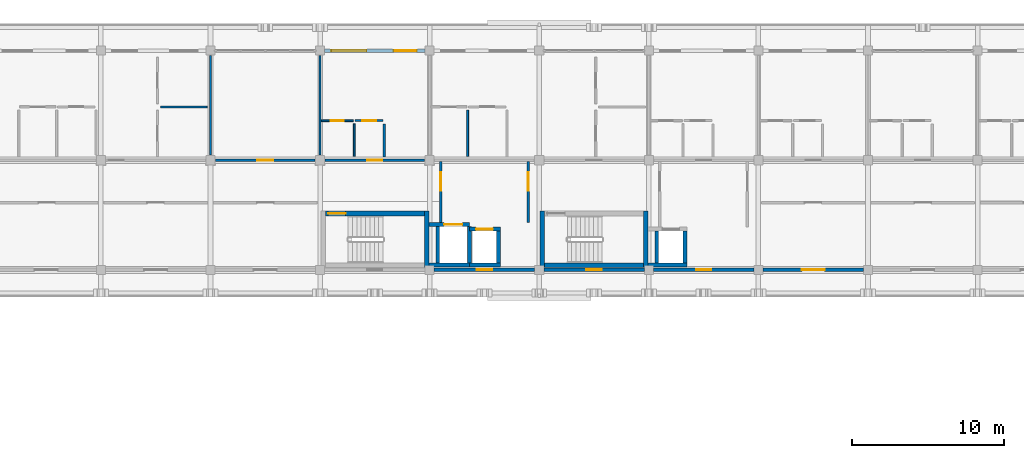
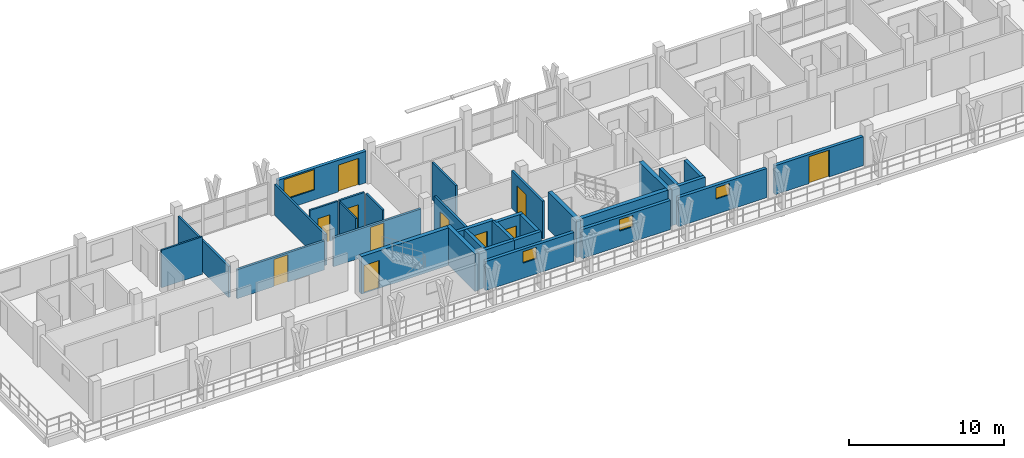
# One storey, part 33 of 56: 32 walls, 11 doors, 4 windows, 15 openings.
"""IFC4 building model written with IfcOpenShell, lengths in metres."""

from ifc_helpers import new_model, si_unit, direction, frame, frame_2d, origin, place, context, subcontext, project, spatial, rectangle, extrude, material, layer, layer_set, type_object, element, fill, save


model = new_model("IFC4")

# Units and contexts
model_context = context("Model", 3, precision=1e-05, world=origin(), true_north=direction((0.0, 1.0)))
body_context = subcontext(model_context, "Body", "Model", "MODEL_VIEW")
ifc_project = project(units=[si_unit("LENGTHUNIT", "METRE"), si_unit("AREAUNIT", "SQUARE_METRE"), si_unit("VOLUMEUNIT", "CUBIC_METRE"), si_unit("PLANEANGLEUNIT", "RADIAN"), si_unit("MASSUNIT", "GRAM", prefix="KILO")], contexts=[model_context])

# Site, building, storey
site_placement = place(None, origin())
site = spatial("IfcSite", under=ifc_project, at=site_placement, CompositionType="ELEMENT")
building_placement = place(site_placement, origin())
building = spatial("IfcBuilding", under=site, at=building_placement, Name="Suanplinth Sawtooth Commons", CompositionType="ELEMENT")
storey_placement = place(building_placement, frame((0.0, 0.0, 34.800048828125)))
storey = spatial("IfcBuildingStorey", under=building, at=storey_placement, Name="L10", CompositionType="ELEMENT", Elevation=34.800048828125)

# Wall, opening, door
ifc_material_1 = material(Name="Concrete C40/50", Category="concrete")
ifc_layer_1 = layer(ifc_material_1, 0.300048828125, Name="Standard RC stair and lift core wall 300mm")
ifc_layer_set_1 = layer_set([ifc_layer_1], Name="Concrete C40/50")
wall_type_1 = type_object("IfcWallType", Name="W-CR02", PredefinedType="SHEAR", material=ifc_layer_set_1)
wall_1_placement = place(storey_placement, frame((43.550048828125, 111.699951171875, 0.0), z_axis=(0.0, 0.0, 1.0), x_axis=(1.0, 0.0, 0.0)))
wall_1 = element("IfcWall", 1, at=wall_1_placement, inside=storey, type_object=wall_type_1, Name="W-L10-C-A1-STN", PredefinedType="SHEAR", context=body_context, shape_type="SweptSolid", body=[
    extrude(rectangle(XDim=6.5, YDim=0.300048828125, at=frame_2d((3.25, 0.0))), origin(), (0.0, 0.0, 1.0), 2.9599609375),
])
opening_1_placement = place(wall_1_placement, frame((0.179931640625, 0.0, 0.0)))
opening_1 = element("IfcOpeningElement", 2, at=opening_1_placement, cuts=wall_1, Name="Opening FD0056", PredefinedType="OPENING", context=body_context, shape_type="SweptSolid", body=[
    extrude(rectangle(XDim=1.14990234375, YDim=2.199951171875, at=frame_2d((0.574951171875, 1.10009765625))), frame((0.0, 0.1650390625, 0.0), z_axis=(0.0, -1.0, 0.0), x_axis=(1.0, 0.0, 0.0)), (0.0, 0.0, 1.0), 0.329833984375),
])
ifc_material_2 = material(Name="Teak hardwood fire-rated door assembly", Category="wood")
door_type_1 = type_object("IfcDoorType", Name="FD-01", OperationType="NOTDEFINED", PredefinedType="DOOR", material=ifc_material_2)
door_1_placement = place(opening_1_placement, frame((1.14990234375, 0.0, 0.0), z_axis=(0.0, 0.0, 1.0), x_axis=(-1.0, 0.0, 0.0)))
door_1 = element("IfcDoor", 3, at=door_1_placement, inside=storey, type_object=door_type_1, Name="Exit Stair Fire Door FD0056", OperationType="SINGLE_SWING_LEFT", OverallHeight=2.199951171875, OverallWidth=1.14990234375, PredefinedType="DOOR", context=body_context, shape_type="SweptSolid", body=[
    extrude(rectangle(XDim=1.14990234375, YDim=2.199951171875, at=frame_2d((0.574951171875, 1.10009765625))), frame((0.0, 0.02490234375, 0.0), z_axis=(0.0, -1.0, 0.0), x_axis=(1.0, 0.0, 0.0)), (0.0, 0.0, 1.0), 0.050048828125),
])
fill(opening_1, door_1)

# Walls
wall_2_placement = place(storey_placement, frame((50.199951171875, 108.14990234375, 0.0), z_axis=(0.0, 0.0, 1.0), x_axis=(0.0, 1.0, 0.0)))
element("IfcWall", 4, at=wall_2_placement, inside=storey, type_object=wall_type_1, Name="W-L10-C-A1-STE", PredefinedType="SHEAR", context=body_context, shape_type="SweptSolid", body=[
    extrude(rectangle(XDim=3.7001953125, YDim=0.300048828125, at=frame_2d((1.85009765625, 0.0))), origin(), (0.0, 0.0, 1.0), 2.9599609375),
])
wall_3_placement = place(storey_placement, frame((57.949951171875, 108.300048828125, 0.0), z_axis=(0.0, 0.0, 1.0), x_axis=(1.0, 0.0, 0.0)))
element("IfcWall", 5, at=wall_3_placement, inside=storey, type_object=wall_type_1, Name="W-L10-C-A2-STS", PredefinedType="SHEAR", context=body_context, shape_type="SweptSolid", body=[
    extrude(rectangle(XDim=6.5, YDim=0.300048828125, at=frame_2d((3.25, 0.0))), origin(), (0.0, 0.0, 1.0), 2.9599609375),
])
for number, where, z_axis, x_axis, name in (
    (6, (57.800048828125, 108.14990234375, 0.0), (0.0, 0.0, 1.0), (0.0, 1.0, 0.0), "W-L10-C-A2-STW"),
    (7, (64.60009765625, 108.14990234375, 0.0), (0.0, 0.0, 1.0), (0.0, 1.0, 0.0), "W-L10-C-A2-STE"),
):
    element("IfcWall", number, at=place(storey_placement, frame(where, z_axis=z_axis, x_axis=x_axis)), inside=storey, type_object=wall_type_1, Name=name, PredefinedType="SHEAR", context=body_context, shape_type="SweptSolid", body=[
        extrude(rectangle(XDim=3.7001953125, YDim=0.300048828125, at=frame_2d((1.85009765625, 0.0))), origin(), (0.0, 0.0, 1.0), 2.9599609375),
    ])

# Wall, openings, door, window
ifc_material_3 = material(Name="Precast concrete C40/50", Category="concrete")
ifc_layer_2 = layer(ifc_material_3, 0.239990234375, Name="Upper insulated precast facade wall 240mm")
ifc_layer_set_2 = layer_set([ifc_layer_2], Name="Precast concrete C40/50")
wall_type_2 = type_object("IfcWallType", Name="W-EX03", PredefinedType="ELEMENTEDWALL", material=ifc_layer_set_2)
wall_4_placement = place(storey_placement, frame((43.5, 122.39990234375, 0.0), z_axis=(0.0, 0.0, 1.0), x_axis=(1.0, 0.0, 0.0)))
wall_4 = element("IfcWall", 8, at=wall_4_placement, inside=storey, type_object=wall_type_2, Name="Facade Wall W-L10-A-N-3", PredefinedType="ELEMENTEDWALL", context=body_context, shape_type="SweptSolid", body=[
    extrude(rectangle(XDim=6.60009765625, YDim=0.239990234375, at=frame_2d((3.300048828125, 0.0))), origin(), (0.0, 0.0, 1.0), 2.494873046875),
])
opening_2_placement = place(wall_4_placement, frame((4.550048828125, 0.0, 0.0)))
opening_2 = element("IfcOpeningElement", 9, at=opening_2_placement, cuts=wall_4, Name="Opening ED0740", PredefinedType="OPENING", context=body_context, shape_type="SweptSolid", body=[
    extrude(rectangle(XDim=1.5, YDim=2.1201171875, at=frame_2d((0.75, 1.06005859375))), frame((0.0, 0.134765625, 0.0), z_axis=(0.0, -1.0, 0.0), x_axis=(1.0, 0.0, 0.0)), (0.0, 0.0, 1.0), 0.269775390625),
])
opening_3_placement = place(wall_4_placement, frame((0.449951171875, 0.0, 0.784912109375)))
opening_3 = element("IfcOpeningElement", 10, at=opening_3_placement, cuts=wall_4, Name="Opening W0819", PredefinedType="OPENING", context=body_context, shape_type="SweptSolid", body=[
    extrude(rectangle(XDim=2.300048828125, YDim=1.60009765625, at=frame_2d((1.14990234375, 0.800048828125))), frame((0.0, 0.134765625, 0.0), z_axis=(0.0, -1.0, 0.0), x_axis=(1.0, 0.0, 0.0)), (0.0, 0.0, 1.0), 0.269775390625),
])
ifc_material_4 = material(Name="Anodized aluminium and low-E glass", Category="aluminium")
door_type_2 = type_object("IfcDoorType", Name="SD-03", OperationType="SLIDING_TO_LEFT", PredefinedType="DOOR", material=ifc_material_4)
door_2_placement = place(opening_2_placement, frame((1.5, 0.0, 0.0), z_axis=(0.0, 0.0, 1.0), x_axis=(-1.0, 0.0, 0.0)))
door_2 = element("IfcDoor", 11, at=door_2_placement, inside=storey, type_object=door_type_2, Name="Balcony Sliding Door L10-A-N-3", OperationType="SLIDING_TO_LEFT", OverallHeight=2.1201171875, OverallWidth=1.5, PredefinedType="DOOR", context=body_context, shape_type="SweptSolid", body=[
    extrude(rectangle(XDim=1.5, YDim=2.1201171875, at=frame_2d((0.75, 1.06005859375))), frame((0.0, 0.02490234375, 0.0), z_axis=(0.0, -1.0, 0.0), x_axis=(1.0, 0.0, 0.0)), (0.0, 0.0, 1.0), 0.050048828125),
])
fill(opening_2, door_2)
ifc_material_5 = material(Name="Thermally broken aluminium and low-E double glazing", Category="aluminium")
window_type_1 = type_object("IfcWindowType", Name="WN-21", PartitioningType="TRIPLE_PANEL_VERTICAL", PredefinedType="WINDOW", material=ifc_material_5)
window_1_placement = place(opening_3_placement, origin())
window_1 = element("IfcWindow", 12, at=window_1_placement, inside=storey, type_object=window_type_1, Name="Window L10-A-N-3", OverallHeight=1.60009765625, OverallWidth=2.300048828125, PartitioningType="TRIPLE_PANEL_VERTICAL", PredefinedType="WINDOW", context=body_context, shape_type="SweptSolid", body=[
    extrude(rectangle(XDim=2.300048828125, YDim=1.60009765625, at=frame_2d((1.14990234375, 0.800048828125))), frame((0.0, 0.030029296875, 0.0), z_axis=(0.0, -1.0, 0.0), x_axis=(1.0, 0.0, 0.0)), (0.0, 0.0, 1.0), 0.06005859375),
])
fill(opening_3, window_1)

# Wall, opening, window
wall_5_placement = place(storey_placement, frame((50.699951171875, 108.0, 0.0), z_axis=(0.0, 0.0, 1.0), x_axis=(1.0, 0.0, 0.0)))
wall_5 = element("IfcWall", 13, at=wall_5_placement, inside=storey, type_object=wall_type_2, Name="Courtyard Wall W-L10-A-S-4", PredefinedType="ELEMENTEDWALL", context=body_context, shape_type="SweptSolid", body=[
    extrude(rectangle(XDim=6.60009765625, YDim=0.239990234375, at=frame_2d((3.300048828125, 0.0))), origin(), (0.0, 0.0, 1.0), 2.294921875),
])
opening_4_placement = place(wall_5_placement, frame((2.800048828125, 0.0, 1.199951171875)))
opening_4 = element("IfcOpeningElement", 14, at=opening_4_placement, cuts=wall_5, Name="Opening W0822", PredefinedType="OPENING", context=body_context, shape_type="SweptSolid", body=[
    extrude(rectangle(XDim=1.0, YDim=0.89990234375, at=frame_2d((0.5, 0.449951171875))), frame((0.0, 0.134765625, 0.0), z_axis=(0.0, -1.0, 0.0), x_axis=(1.0, 0.0, 0.0)), (0.0, 0.0, 1.0), 0.269775390625),
])
window_type_2 = type_object("IfcWindowType", Name="WN-12", PartitioningType="SINGLE_PANEL", PredefinedType="WINDOW", material=ifc_material_5)
window_2_placement = place(opening_4_placement, origin())
window_2 = element("IfcWindow", 15, at=window_2_placement, inside=storey, type_object=window_type_2, Name="Core Daylight Window L10-A-4", OverallHeight=0.89990234375, OverallWidth=1.0, PartitioningType="SINGLE_PANEL", PredefinedType="WINDOW", context=body_context, shape_type="SweptSolid", body=[
    extrude(rectangle(XDim=1.0, YDim=0.89990234375, at=frame_2d((0.5, 0.449951171875))), frame((0.0, 0.030029296875, 0.0), z_axis=(0.0, -1.0, 0.0), x_axis=(1.0, 0.0, 0.0)), (0.0, 0.0, 1.0), 0.06005859375),
])
fill(opening_4, window_2)

wall_6_placement = place(storey_placement, frame((57.89990234375, 108.0, 0.0), z_axis=(0.0, 0.0, 1.0), x_axis=(1.0, 0.0, 0.0)))
wall_6 = element("IfcWall", 16, at=wall_6_placement, inside=storey, type_object=wall_type_2, Name="Courtyard Wall W-L10-A-S-5", PredefinedType="ELEMENTEDWALL", context=body_context, shape_type="SweptSolid", body=[
    extrude(rectangle(XDim=6.60009765625, YDim=0.239990234375, at=frame_2d((3.300048828125, 0.0))), origin(), (0.0, 0.0, 1.0), 2.294921875),
])
opening_5_placement = place(wall_6_placement, frame((2.800048828125, 0.0, 1.199951171875)))
opening_5 = element("IfcOpeningElement", 17, at=opening_5_placement, cuts=wall_6, Name="Opening W0823", PredefinedType="OPENING", context=body_context, shape_type="SweptSolid", body=[
    extrude(rectangle(XDim=1.0, YDim=0.89990234375, at=frame_2d((0.5, 0.449951171875))), frame((0.0, 0.134765625, 0.0), z_axis=(0.0, -1.0, 0.0), x_axis=(1.0, 0.0, 0.0)), (0.0, 0.0, 1.0), 0.269775390625),
])
window_3_placement = place(opening_5_placement, origin())
window_3 = element("IfcWindow", 18, at=window_3_placement, inside=storey, type_object=window_type_2, Name="Core Daylight Window L10-A-5", OverallHeight=0.89990234375, OverallWidth=1.0, PartitioningType="SINGLE_PANEL", PredefinedType="WINDOW", context=body_context, shape_type="SweptSolid", body=[
    extrude(rectangle(XDim=1.0, YDim=0.89990234375, at=frame_2d((0.5, 0.449951171875))), frame((0.0, 0.030029296875, 0.0), z_axis=(0.0, -1.0, 0.0), x_axis=(1.0, 0.0, 0.0)), (0.0, 0.0, 1.0), 0.06005859375),
])
fill(opening_5, window_3)

wall_7_placement = place(storey_placement, frame((65.10009765625, 108.0, 0.0), z_axis=(0.0, 0.0, 1.0), x_axis=(1.0, 0.0, 0.0)))
wall_7 = element("IfcWall", 19, at=wall_7_placement, inside=storey, type_object=wall_type_2, Name="Courtyard Wall W-L10-A-S-6", PredefinedType="ELEMENTEDWALL", context=body_context, shape_type="SweptSolid", body=[
    extrude(rectangle(XDim=6.599853515625, YDim=0.239990234375, at=frame_2d((3.2998046875, 0.0))), origin(), (0.0, 0.0, 1.0), 2.294921875),
])
opening_6_placement = place(wall_7_placement, frame((2.800048828125, 0.0, 1.199951171875)))
opening_6 = element("IfcOpeningElement", 20, at=opening_6_placement, cuts=wall_7, Name="Opening W0825", PredefinedType="OPENING", context=body_context, shape_type="SweptSolid", body=[
    extrude(rectangle(XDim=1.0, YDim=0.89990234375, at=frame_2d((0.5, 0.449951171875))), frame((0.0, 0.134765625, 0.0), z_axis=(0.0, -1.0, 0.0), x_axis=(1.0, 0.0, 0.0)), (0.0, 0.0, 1.0), 0.269775390625),
])
window_4_placement = place(opening_6_placement, origin())
window_4 = element("IfcWindow", 21, at=window_4_placement, inside=storey, type_object=window_type_2, Name="Core Daylight Window L10-A-6", OverallHeight=0.89990234375, OverallWidth=1.0, PartitioningType="SINGLE_PANEL", PredefinedType="WINDOW", context=body_context, shape_type="SweptSolid", body=[
    extrude(rectangle(XDim=1.0, YDim=0.89990234375, at=frame_2d((0.5, 0.449951171875))), frame((0.0, 0.030029296875, 0.0), z_axis=(0.0, -1.0, 0.0), x_axis=(1.0, 0.0, 0.0)), (0.0, 0.0, 1.0), 0.06005859375),
])
fill(opening_6, window_4)

# Wall, opening, door
wall_8_placement = place(storey_placement, frame((72.300048828125, 108.0, 0.0), z_axis=(0.0, 0.0, 1.0), x_axis=(1.0, 0.0, 0.0)))
wall_8 = element("IfcWall", 22, at=wall_8_placement, inside=storey, type_object=wall_type_2, Name="Courtyard Wall W-L10-A-S-7", PredefinedType="ELEMENTEDWALL", context=body_context, shape_type="SweptSolid", body=[
    extrude(rectangle(XDim=6.599853515625, YDim=0.239990234375, at=frame_2d((3.2998046875, 0.0))), origin(), (0.0, 0.0, 1.0), 2.294921875),
])
opening_7_placement = place(wall_8_placement, frame((2.550048828125, 0.0, 0.0)))
opening_7 = element("IfcOpeningElement", 23, at=opening_7_placement, cuts=wall_8, Name="Opening ED0744", PredefinedType="OPENING", context=body_context, shape_type="SweptSolid", body=[
    extrude(rectangle(XDim=1.5, YDim=2.1201171875, at=frame_2d((0.75, 1.06005859375))), frame((0.0, 0.134765625, 0.0), z_axis=(0.0, -1.0, 0.0), x_axis=(1.0, 0.0, 0.0)), (0.0, 0.0, 1.0), 0.269775390625),
])
door_3_placement = place(opening_7_placement, frame((1.5, 0.0, 0.0), z_axis=(0.0, 0.0, 1.0), x_axis=(-1.0, 0.0, 0.0)))
door_3 = element("IfcDoor", 24, at=door_3_placement, inside=storey, type_object=door_type_2, Name="Courtyard Balcony Sliding Door L10-A-S-7", OperationType="SLIDING_TO_LEFT", OverallHeight=2.1201171875, OverallWidth=1.5, PredefinedType="DOOR", context=body_context, shape_type="SweptSolid", body=[
    extrude(rectangle(XDim=1.5, YDim=2.1201171875, at=frame_2d((0.75, 1.06005859375))), frame((0.0, 0.02490234375, 0.0), z_axis=(0.0, -1.0, 0.0), x_axis=(1.0, 0.0, 0.0)), (0.0, 0.0, 1.0), 0.050048828125),
])
fill(opening_7, door_3)

ifc_layer_3 = layer(ifc_material_3, 0.159912109375, Name="Fire-rated corridor and lobby wall 160mm")
ifc_layer_set_3 = layer_set([ifc_layer_3], Name="Precast concrete C40/50")
wall_type_3 = type_object("IfcWallType", Name="W-FW01", PredefinedType="PARTITIONING", material=ifc_layer_set_3)
wall_9_placement = place(storey_placement, frame((51.1201171875, 111.10009765625, 0.0), z_axis=(0.0, 0.0, 1.0), x_axis=(0.0, 1.0, 0.0)))
wall_9 = element("IfcWall", 25, at=wall_9_placement, inside=storey, type_object=wall_type_3, Name="W-L10-C-A1-LOB-W", PredefinedType="PARTITIONING", context=body_context, shape_type="SweptSolid", body=[
    extrude(rectangle(XDim=4.02001953125, YDim=0.159912109375, at=frame_2d((2.010009765625, 0.0))), origin(), (0.0, 0.0, 1.0), 2.9599609375),
])
opening_8_placement = place(wall_9_placement, frame((2.10009765625, 0.0, 0.0)))
opening_8 = element("IfcOpeningElement", 26, at=opening_8_placement, cuts=wall_9, Name="Opening FD0057", PredefinedType="OPENING", context=body_context, shape_type="SweptSolid", body=[
    extrude(rectangle(XDim=1.199951171875, YDim=2.199951171875, at=frame_2d((0.60009765625, 1.10009765625))), frame((0.0, 0.0947265625, 0.0), z_axis=(0.0, -1.0, 0.0), x_axis=(1.0, 0.0, 0.0)), (0.0, 0.0, 1.0), 0.189697265625),
])
door_type_3 = type_object("IfcDoorType", Name="FD-02", OperationType="NOTDEFINED", PredefinedType="DOOR", material=ifc_material_2)
door_4_placement = place(opening_8_placement, origin())
door_4 = element("IfcDoor", 27, at=door_4_placement, inside=storey, type_object=door_type_3, Name="Lobby Fire Door FD0057", OperationType="SINGLE_SWING_RIGHT", OverallHeight=2.199951171875, OverallWidth=1.199951171875, PredefinedType="DOOR", context=body_context, shape_type="SweptSolid", body=[
    extrude(rectangle(XDim=1.199951171875, YDim=2.199951171875, at=frame_2d((0.60009765625, 1.10009765625))), frame((0.0, 0.02490234375, 0.0), z_axis=(0.0, -1.0, 0.0), x_axis=(1.0, 0.0, 0.0)), (0.0, 0.0, 1.0), 0.050048828125),
])
fill(opening_8, door_4)

wall_10_placement = place(storey_placement, frame((56.8798828125, 111.10009765625, 0.0), z_axis=(0.0, 0.0, 1.0), x_axis=(0.0, 1.0, 0.0)))
wall_10 = element("IfcWall", 28, at=wall_10_placement, inside=storey, type_object=wall_type_3, Name="W-L10-C-A1-LOB-E", PredefinedType="PARTITIONING", context=body_context, shape_type="SweptSolid", body=[
    extrude(rectangle(XDim=4.02001953125, YDim=0.159912109375, at=frame_2d((2.010009765625, 0.0))), origin(), (0.0, 0.0, 1.0), 2.9599609375),
])
opening_9_placement = place(wall_10_placement, frame((2.10009765625, 0.0, 0.0)))
opening_9 = element("IfcOpeningElement", 29, at=opening_9_placement, cuts=wall_10, Name="Opening FD0058", PredefinedType="OPENING", context=body_context, shape_type="SweptSolid", body=[
    extrude(rectangle(XDim=1.199951171875, YDim=2.199951171875, at=frame_2d((0.60009765625, 1.10009765625))), frame((0.0, 0.0947265625, 0.0), z_axis=(0.0, -1.0, 0.0), x_axis=(1.0, 0.0, 0.0)), (0.0, 0.0, 1.0), 0.189697265625),
])
door_5_placement = place(opening_9_placement, frame((1.199951171875, 0.0, 0.0), z_axis=(0.0, 0.0, 1.0), x_axis=(-1.0, 0.0, 0.0)))
door_5 = element("IfcDoor", 30, at=door_5_placement, inside=storey, type_object=door_type_3, Name="Lobby Fire Door FD0058", OperationType="SINGLE_SWING_LEFT", OverallHeight=2.199951171875, OverallWidth=1.199951171875, PredefinedType="DOOR", context=body_context, shape_type="SweptSolid", body=[
    extrude(rectangle(XDim=1.199951171875, YDim=2.199951171875, at=frame_2d((0.60009765625, 1.10009765625))), frame((0.0, 0.02490234375, 0.0), z_axis=(0.0, -1.0, 0.0), x_axis=(1.0, 0.0, 0.0)), (0.0, 0.0, 1.0), 0.050048828125),
])
fill(opening_9, door_5)

wall_11_placement = place(storey_placement, frame((36.330078125, 115.199951171875, 0.0), z_axis=(0.0, 0.0, 1.0), x_axis=(1.0, 0.0, 0.0)))
wall_11 = element("IfcWall", 31, at=wall_11_placement, inside=storey, type_object=wall_type_3, Name="W-A-L10-U02-COR", PredefinedType="PARTITIONING", context=body_context, shape_type="SweptSolid", body=[
    extrude(rectangle(XDim=6.5400390625, YDim=0.159912109375, at=frame_2d((3.27001953125, 0.0))), origin(), (0.0, 0.0, 1.0), 2.294921875),
])
opening_10_placement = place(wall_11_placement, frame((2.7451171875, 0.0, 0.0)))
opening_10 = element("IfcOpeningElement", 32, at=opening_10_placement, cuts=wall_11, Name="Opening FD1851", PredefinedType="OPENING", context=body_context, shape_type="SweptSolid", body=[
    extrude(rectangle(XDim=1.050048828125, YDim=2.14990234375, at=frame_2d((0.52490234375, 1.074951171875))), frame((0.0, 0.0947265625, 0.0), z_axis=(0.0, -1.0, 0.0), x_axis=(1.0, 0.0, 0.0)), (0.0, 0.0, 1.0), 0.189697265625),
])
door_type_4 = type_object("IfcDoorType", Name="FD-04", OperationType="NOTDEFINED", PredefinedType="DOOR", material=ifc_material_2)
door_6_placement = place(opening_10_placement, origin())
door_6 = element("IfcDoor", 33, at=door_6_placement, inside=storey, type_object=door_type_4, Name="Unit Entrance Door FD1851", OperationType="SINGLE_SWING_LEFT", OverallHeight=2.14990234375, OverallWidth=1.050048828125, PredefinedType="DOOR", context=body_context, shape_type="SweptSolid", body=[
    extrude(rectangle(XDim=1.050048828125, YDim=2.14990234375, at=frame_2d((0.52490234375, 1.074951171875))), frame((0.0, 0.02490234375, 0.0), z_axis=(0.0, -1.0, 0.0), x_axis=(1.0, 0.0, 0.0)), (0.0, 0.0, 1.0), 0.050048828125),
])
fill(opening_10, door_6)

wall_12_placement = place(storey_placement, frame((43.530029296875, 115.199951171875, 0.0), z_axis=(0.0, 0.0, 1.0), x_axis=(1.0, 0.0, 0.0)))
wall_12 = element("IfcWall", 34, at=wall_12_placement, inside=storey, type_object=wall_type_3, Name="W-A-L10-U03-COR", PredefinedType="PARTITIONING", context=body_context, shape_type="SweptSolid", body=[
    extrude(rectangle(XDim=6.5400390625, YDim=0.159912109375, at=frame_2d((3.27001953125, 0.0))), origin(), (0.0, 0.0, 1.0), 2.294921875),
])
opening_11_placement = place(wall_12_placement, frame((2.77001953125, 0.0, 0.0)))
opening_11 = element("IfcOpeningElement", 35, at=opening_11_placement, cuts=wall_12, Name="Opening FD1852", PredefinedType="OPENING", context=body_context, shape_type="SweptSolid", body=[
    extrude(rectangle(XDim=1.0, YDim=2.14990234375, at=frame_2d((0.5, 1.074951171875))), frame((0.0, 0.0947265625, 0.0), z_axis=(0.0, -1.0, 0.0), x_axis=(1.0, 0.0, 0.0)), (0.0, 0.0, 1.0), 0.189697265625),
])
door_type_5 = type_object("IfcDoorType", Name="FD-03", OperationType="NOTDEFINED", PredefinedType="DOOR", material=ifc_material_2)
door_7_placement = place(opening_11_placement, origin())
door_7 = element("IfcDoor", 36, at=door_7_placement, inside=storey, type_object=door_type_5, Name="Unit Entrance Door FD1852", OperationType="SINGLE_SWING_RIGHT", OverallHeight=2.14990234375, OverallWidth=1.0, PredefinedType="DOOR", context=body_context, shape_type="SweptSolid", body=[
    extrude(rectangle(XDim=1.0, YDim=2.14990234375, at=frame_2d((0.5, 1.074951171875))), frame((0.0, 0.02490234375, 0.0), z_axis=(0.0, -1.0, 0.0), x_axis=(1.0, 0.0, 0.0)), (0.0, 0.0, 1.0), 0.050048828125),
])
fill(opening_11, door_7)

# Walls
ifc_layer_4 = layer(ifc_material_3, 0.14990234375, Name="Acoustic precast party demising wall 150mm")
ifc_layer_set_4 = layer_set([ifc_layer_4], Name="Precast concrete C40/50")
wall_type_4 = type_object("IfcWallType", Name="W-FW02", PredefinedType="PARTITIONING", material=ifc_layer_set_4)
for number, where, z_axis, x_axis, name in (
    (37, (36.0, 115.530029296875, 0.0), (0.0, 0.0, 1.0), (0.0, 1.0, 0.0), "W-A-L10-U01-PTY"),
    (38, (43.199951171875, 115.530029296875, 0.0), (0.0, 0.0, 1.0), (0.0, 1.0, 0.0), "W-A-L10-U02-PTY"),
):
    element("IfcWall", number, at=place(storey_placement, frame(where, z_axis=z_axis, x_axis=x_axis)), inside=storey, type_object=wall_type_4, Name=name, PredefinedType="PARTITIONING", context=body_context, shape_type="SweptSolid", body=[
        extrude(rectangle(XDim=6.5400390625, YDim=0.14990234375, at=frame_2d((3.27001953125, 0.0))), origin(), (0.0, 0.0, 1.0), 2.445068359375),
    ])

# Wall, opening, door
ifc_material_6 = material(Name="Gypsum plasterboard on steel stud", Category="steel")
ifc_layer_5 = layer(ifc_material_6, 0.139892578125, Name="Fire-rated kitchen partition 140mm")
ifc_layer_set_5 = layer_set([ifc_layer_5], Name="Gypsum plasterboard on steel stud")
wall_type_5 = type_object("IfcWallType", Name="W-PT01", PredefinedType="PARTITIONING", material=ifc_layer_set_5)
wall_13_placement = place(storey_placement, frame((45.5, 117.800048828125, 0.0), z_axis=(0.0, 0.0, 1.0), x_axis=(1.0, 0.0, 0.0)))
wall_13 = element("IfcWall", 39, at=wall_13_placement, inside=storey, type_object=wall_type_5, Name="W-A-L10-U03-KIT1", PredefinedType="PARTITIONING", context=body_context, shape_type="SweptSolid", body=[
    extrude(rectangle(XDim=1.85009765625, YDim=0.139892578125, at=frame_2d((0.925048828125, 0.0))), origin(), (0.0, 0.0, 1.0), 2.9599609375),
])
opening_12_placement = place(wall_13_placement, frame((0.4599609375, 0.0, 0.0)))
opening_12 = element("IfcOpeningElement", 40, at=opening_12_placement, cuts=wall_13, Name="Opening D1854", PredefinedType="OPENING", context=body_context, shape_type="SweptSolid", body=[
    extrude(rectangle(XDim=0.929931640625, YDim=2.139892578125, at=frame_2d((0.46484375, 1.06982421875))), frame((0.0, 0.0849609375, 0.0), z_axis=(0.0, -1.0, 0.0), x_axis=(1.0, 0.0, 0.0)), (0.0, 0.0, 1.0), 0.169677734375),
])
ifc_material_7 = material(Name="Teak hardwood", Category="wood")
door_type_6 = type_object("IfcDoorType", Name="D-19", OperationType="NOTDEFINED", PredefinedType="DOOR", material=ifc_material_7)
door_8_placement = place(opening_12_placement, frame((0.929931640625, 0.0, 0.0), z_axis=(0.0, 0.0, 1.0), x_axis=(-1.0, 0.0, 0.0)))
door_8 = element("IfcDoor", 41, at=door_8_placement, inside=storey, type_object=door_type_6, Name="Kitchen Door D1854", OperationType="SINGLE_SWING_RIGHT", OverallHeight=2.139892578125, OverallWidth=0.929931640625, PredefinedType="DOOR", context=body_context, shape_type="SweptSolid", body=[
    extrude(rectangle(XDim=0.929931640625, YDim=2.139892578125, at=frame_2d((0.46484375, 1.06982421875))), frame((0.0, 0.02490234375, 0.0), z_axis=(0.0, -1.0, 0.0), x_axis=(1.0, 0.0, 0.0)), (0.0, 0.0, 1.0), 0.050048828125),
])
fill(opening_12, door_8)

# Wall
wall_14_placement = place(storey_placement, frame((47.419921875, 115.429931640625, 0.0), z_axis=(0.0, 0.0, 1.0), x_axis=(0.0, 1.0, 0.0)))
element("IfcWall", 42, at=wall_14_placement, inside=storey, type_object=wall_type_5, Name="W-A-L10-U03-KIT2", PredefinedType="PARTITIONING", context=body_context, shape_type="SweptSolid", body=[
    extrude(rectangle(XDim=2.150146484375, YDim=0.139892578125, at=frame_2d((1.0751953125, 0.0))), origin(), (0.0, 0.0, 1.0), 2.9599609375),
])

# Wall, opening, door
ifc_layer_6 = layer(ifc_material_6, 0.1298828125, Name="Moisture-resistant bathroom partition 130mm")
ifc_layer_set_6 = layer_set([ifc_layer_6], Name="Gypsum plasterboard on steel stud")
wall_type_6 = type_object("IfcWallType", Name="W-PT02", PredefinedType="PARTITIONING", material=ifc_layer_set_6)
wall_15_placement = place(storey_placement, frame((43.280029296875, 117.794921875, 0.0), z_axis=(0.0, 0.0, 1.0), x_axis=(1.0, 0.0, 0.0)))
wall_15 = element("IfcWall", 43, at=wall_15_placement, inside=storey, type_object=wall_type_6, Name="W-A-L10-U03-BTH1", PredefinedType="PARTITIONING", context=body_context, shape_type="SweptSolid", body=[
    extrude(rectangle(XDim=2.099853515625, YDim=0.1298828125, at=frame_2d((1.0498046875, 0.0))), origin(), (0.0, 0.0, 1.0), 2.9599609375),
])
opening_13_placement = place(wall_15_placement, frame((0.610107421875, 0.0, 0.0)))
opening_13 = element("IfcOpeningElement", 44, at=opening_13_placement, cuts=wall_15, Name="Opening D1853", PredefinedType="OPENING", context=body_context, shape_type="SweptSolid", body=[
    extrude(rectangle(XDim=0.8798828125, YDim=2.10009765625, at=frame_2d((0.43994140625, 1.050048828125))), frame((0.0, 0.079833984375, 0.0), z_axis=(0.0, -1.0, 0.0), x_axis=(1.0, 0.0, 0.0)), (0.0, 0.0, 1.0), 0.15966796875),
])
door_type_7 = type_object("IfcDoorType", Name="D-14", OperationType="NOTDEFINED", PredefinedType="DOOR", material=ifc_material_7)
door_9_placement = place(opening_13_placement, frame((0.8798828125, 0.0, 0.0), z_axis=(0.0, 0.0, 1.0), x_axis=(-1.0, 0.0, 0.0)))
door_9 = element("IfcDoor", 45, at=door_9_placement, inside=storey, type_object=door_type_7, Name="Bathroom Door D1853", OperationType="SINGLE_SWING_LEFT", OverallHeight=2.10009765625, OverallWidth=0.8798828125, PredefinedType="DOOR", context=body_context, shape_type="SweptSolid", body=[
    extrude(rectangle(XDim=0.8798828125, YDim=2.10009765625, at=frame_2d((0.43994140625, 1.050048828125))), frame((0.0, 0.02490234375, 0.0), z_axis=(0.0, -1.0, 0.0), x_axis=(1.0, 0.0, 0.0)), (0.0, 0.0, 1.0), 0.050048828125),
])
fill(opening_13, door_9)

# Walls
wall_16_placement = place(storey_placement, frame((45.445068359375, 115.4599609375, 0.0), z_axis=(0.0, 0.0, 1.0), x_axis=(0.0, 1.0, 0.0)))
element("IfcWall", 46, at=wall_16_placement, inside=storey, type_object=wall_type_6, Name="W-A-L10-U03-BTH2", PredefinedType="PARTITIONING", context=body_context, shape_type="SweptSolid", body=[
    extrude(rectangle(XDim=2.130126953125, YDim=0.1298828125, at=frame_2d((1.06494140625, 0.0))), origin(), (0.0, 0.0, 1.0), 2.9599609375),
])
wall_17_placement = place(storey_placement, frame((52.89501953125, 115.4599609375, 0.0), z_axis=(0.0, 0.0, 1.0), x_axis=(0.0, 1.0, 0.0)))
element("IfcWall", 47, at=wall_17_placement, inside=storey, type_object=wall_type_6, Name="W-A-L10-U04-BTH2", PredefinedType="PARTITIONING", context=body_context, shape_type="SweptSolid", body=[
    extrude(rectangle(XDim=3.0400390625, YDim=0.1298828125, at=frame_2d((1.52001953125, 0.0))), origin(), (0.0, 0.0, 1.0), 2.9599609375),
])
ifc_layer_7 = layer(ifc_material_6, 0.125, Name="Acoustic study partition 125mm")
ifc_layer_set_7 = layer_set([ifc_layer_7], Name="Gypsum plasterboard on steel stud")
wall_type_7 = type_object("IfcWallType", Name="W-PT06", PredefinedType="PARTITIONING", material=ifc_layer_set_7)
wall_18_placement = place(storey_placement, frame((32.719970703125, 118.699951171875, 0.0), z_axis=(0.0, 0.0, 1.0), x_axis=(1.0, 0.0, 0.0)))
element("IfcWall", 48, at=wall_18_placement, inside=storey, type_object=wall_type_7, Name="W-A-L10-U01-BEDDIV", PredefinedType="PARTITIONING", context=body_context, shape_type="SweptSolid", body=[
    extrude(rectangle(XDim=3.06005859375, YDim=0.125, at=frame_2d((1.530029296875, 0.0))), origin(), (0.0, 0.0, 1.0), 2.9599609375),
])
ifc_layer_8 = layer(ifc_material_3, 0.25, Name="Precast structural shear wall 250mm")
ifc_layer_set_8 = layer_set([ifc_layer_8], Name="Precast concrete C40/50")
wall_type_8 = type_object("IfcWallType", Name="W-SH01", PredefinedType="SHEAR", material=ifc_layer_set_8)
wall_19_placement = place(storey_placement, frame((50.35009765625, 108.324951171875, 0.0), z_axis=(0.0, 0.0, 1.0), x_axis=(1.0, 0.0, 0.0)))
element("IfcWall", 49, at=wall_19_placement, inside=storey, type_object=wall_type_8, Name="W-L10-FL1-S", PredefinedType="SHEAR", context=body_context, shape_type="SweptSolid", body=[
    extrude(rectangle(XDim=2.6748046875, YDim=0.25, at=frame_2d((1.33740234375, 0.0))), origin(), (0.0, 0.0, 1.0), 2.9599609375),
])

# Wall, opening, door
wall_20_placement = place(storey_placement, frame((50.35009765625, 110.97509765625, 0.0), z_axis=(0.0, 0.0, 1.0), x_axis=(1.0, 0.0, 0.0)))
wall_20 = element("IfcWall", 50, at=wall_20_placement, inside=storey, type_object=wall_type_8, Name="W-L10-FL1-N", PredefinedType="SHEAR", context=body_context, shape_type="SweptSolid", body=[
    extrude(rectangle(XDim=2.6748046875, YDim=0.25, at=frame_2d((1.33740234375, 0.0))), origin(), (0.0, 0.0, 1.0), 2.9599609375),
])
opening_14_placement = place(wall_20_placement, frame((1.0, 0.0, 0.0)))
opening_14 = element("IfcOpeningElement", 51, at=opening_14_placement, cuts=wall_20, Name="Opening LD0059", PredefinedType="OPENING", context=body_context, shape_type="SweptSolid", body=[
    extrude(rectangle(XDim=1.199951171875, YDim=2.25, at=frame_2d((0.60009765625, 1.125))), frame((0.0, 0.139892578125, 0.0), z_axis=(0.0, -1.0, 0.0), x_axis=(1.0, 0.0, 0.0)), (0.0, 0.0, 1.0), 0.27978515625),
])
ifc_material_8 = material(Name="Stainless steel Grade 304", Category="steel")
door_type_8 = type_object("IfcDoorType", Name="LD-02", OperationType="SLIDING_TO_LEFT", PredefinedType="DOOR", material=ifc_material_8)
door_10_placement = place(opening_14_placement, origin())
door_10 = element("IfcDoor", 52, at=door_10_placement, inside=storey, type_object=door_type_8, Name="Lift Landing Sliding Door FL1 L10", OperationType="SLIDING_TO_LEFT", OverallHeight=2.25, OverallWidth=1.199951171875, PredefinedType="DOOR", context=body_context, shape_type="SweptSolid", body=[
    extrude(rectangle(XDim=1.199951171875, YDim=2.25, at=frame_2d((0.60009765625, 1.125))), frame((0.0, 0.02490234375, 0.0), z_axis=(0.0, -1.0, 0.0), x_axis=(1.0, 0.0, 0.0)), (0.0, 0.0, 1.0), 0.050048828125),
])
fill(opening_14, door_10)

# Walls
for number, where, z_axis, x_axis, name in (
    (53, (50.925048828125, 108.449951171875, 0.0), (0.0, 0.0, 1.0), (0.0, 1.0, 0.0), "W-L10-FL1-W"),
    (54, (53.02490234375, 108.449951171875, 0.0), (0.0, 0.0, 1.0), (0.0, 1.0, 0.0), "W-L10-FL1-DIV"),
):
    element("IfcWall", number, at=place(storey_placement, frame(where, z_axis=z_axis, x_axis=x_axis)), inside=storey, type_object=wall_type_8, Name=name, PredefinedType="SHEAR", context=body_context, shape_type="SweptSolid", body=[
        extrude(rectangle(XDim=2.400146484375, YDim=0.25, at=frame_2d((1.2001953125, 0.0))), origin(), (0.0, 0.0, 1.0), 2.9599609375),
    ])
wall_21_placement = place(storey_placement, frame((53.02490234375, 108.324951171875, 0.0), z_axis=(0.0, 0.0, 1.0), x_axis=(1.0, 0.0, 0.0)))
element("IfcWall", 55, at=wall_21_placement, inside=storey, type_object=wall_type_8, Name="W-L10-LF1-S", PredefinedType="SHEAR", context=body_context, shape_type="SweptSolid", body=[
    extrude(rectangle(XDim=2.025146484375, YDim=0.25, at=frame_2d((1.0126953125, 0.0))), origin(), (0.0, 0.0, 1.0), 2.9599609375),
])

# Wall, opening, door
wall_22_placement = place(storey_placement, frame((53.02490234375, 110.675048828125, 0.0), z_axis=(0.0, 0.0, 1.0), x_axis=(1.0, 0.0, 0.0)))
wall_22 = element("IfcWall", 56, at=wall_22_placement, inside=storey, type_object=wall_type_8, Name="W-L10-LF1-N", PredefinedType="SHEAR", context=body_context, shape_type="SweptSolid", body=[
    extrude(rectangle(XDim=2.025146484375, YDim=0.25, at=frame_2d((1.0126953125, 0.0))), origin(), (0.0, 0.0, 1.0), 2.9599609375),
])
opening_15_placement = place(wall_22_placement, frame((0.425048828125, 0.0, 0.0)))
opening_15 = element("IfcOpeningElement", 57, at=opening_15_placement, cuts=wall_22, Name="Opening LD0060", PredefinedType="OPENING", context=body_context, shape_type="SweptSolid", body=[
    extrude(rectangle(XDim=1.10009765625, YDim=2.14990234375, at=frame_2d((0.550048828125, 1.074951171875))), frame((0.0, 0.139892578125, 0.0), z_axis=(0.0, -1.0, 0.0), x_axis=(1.0, 0.0, 0.0)), (0.0, 0.0, 1.0), 0.27978515625),
])
door_type_9 = type_object("IfcDoorType", Name="LD-01", OperationType="SLIDING_TO_LEFT", PredefinedType="DOOR", material=ifc_material_8)
door_11_placement = place(opening_15_placement, origin())
door_11 = element("IfcDoor", 58, at=door_11_placement, inside=storey, type_object=door_type_9, Name="Lift Landing Sliding Door LF1 L10", OperationType="SLIDING_TO_LEFT", OverallHeight=2.14990234375, OverallWidth=1.10009765625, PredefinedType="DOOR", context=body_context, shape_type="SweptSolid", body=[
    extrude(rectangle(XDim=1.10009765625, YDim=2.14990234375, at=frame_2d((0.550048828125, 1.074951171875))), frame((0.0, 0.02490234375, 0.0), z_axis=(0.0, -1.0, 0.0), x_axis=(1.0, 0.0, 0.0)), (0.0, 0.0, 1.0), 0.050048828125),
])
fill(opening_15, door_11)

# Walls
wall_23_placement = place(storey_placement, frame((54.925048828125, 108.449951171875, 0.0), z_axis=(0.0, 0.0, 1.0), x_axis=(0.0, 1.0, 0.0)))
element("IfcWall", 59, at=wall_23_placement, inside=storey, type_object=wall_type_8, Name="W-L10-LF1-E", PredefinedType="SHEAR", context=body_context, shape_type="SweptSolid", body=[
    extrude(rectangle(XDim=2.10009765625, YDim=0.25, at=frame_2d((1.050048828125, 0.0))), origin(), (0.0, 0.0, 1.0), 2.9599609375),
])
wall_24_placement = place(storey_placement, frame((64.75, 108.324951171875, 0.0), z_axis=(0.0, 0.0, 1.0), x_axis=(1.0, 0.0, 0.0)))
element("IfcWall", 60, at=wall_24_placement, inside=storey, type_object=wall_type_8, Name="W-L10-LF2-S", PredefinedType="SHEAR", context=body_context, shape_type="SweptSolid", body=[
    extrude(rectangle(XDim=2.550048828125, YDim=0.25, at=frame_2d((1.27490234375, 0.0))), origin(), (0.0, 0.0, 1.0), 2.9599609375),
])
for number, where, z_axis, x_axis, name in (
    (61, (65.324951171875, 108.449951171875, 0.0), (0.0, 0.0, 1.0), (0.0, 1.0, 0.0), "W-L10-LF2-W"),
    (62, (67.175048828125, 108.449951171875, 0.0), (0.0, 0.0, 1.0), (0.0, 1.0, 0.0), "W-L10-LF2-E"),
):
    element("IfcWall", number, at=place(storey_placement, frame(where, z_axis=z_axis, x_axis=x_axis)), inside=storey, type_object=wall_type_8, Name=name, PredefinedType="SHEAR", context=body_context, shape_type="SweptSolid", body=[
        extrude(rectangle(XDim=2.10009765625, YDim=0.25, at=frame_2d((1.050048828125, 0.0))), origin(), (0.0, 0.0, 1.0), 2.9599609375),
    ])

save(model, "model.ifc")
